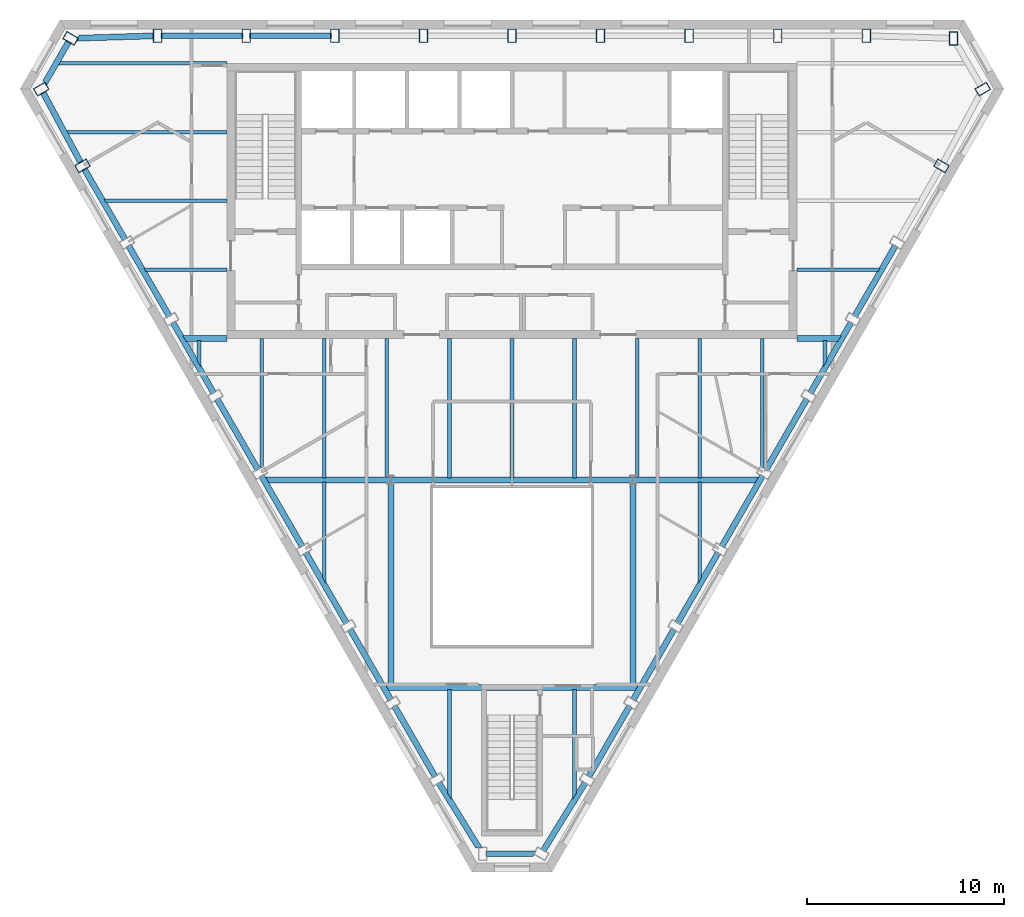
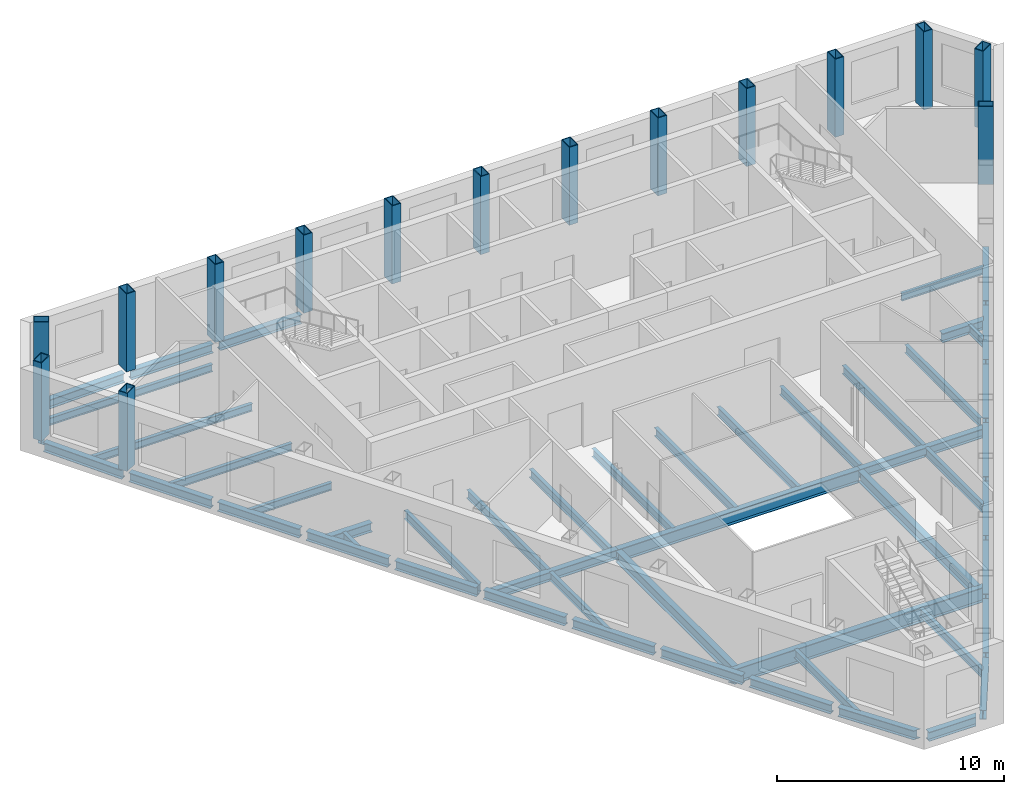
# One storey, part 2 of 10: 51 beams, 15 columns.
"""IFC4 building model written with IfcOpenShell, lengths in metres."""

from ifc_helpers import new_model, si_unit, direction, frame, origin, origin_2d, place, context, subcontext, project, spatial, hollow_rectangle, i_section, extrude, clip, halfspace, material, material_profile, profile_set, type_object, element, save


model = new_model("IFC4")

# Units and contexts
model_context = context("Model", 3, precision=1e-05, world=origin(), true_north=direction((0.0, 1.0)))
body_context = subcontext(model_context, "Body", "Model", "MODEL_VIEW")
ifc_project = project(units=[si_unit("LENGTHUNIT", "METRE"), si_unit("AREAUNIT", "SQUARE_METRE"), si_unit("VOLUMEUNIT", "CUBIC_METRE"), si_unit("PLANEANGLEUNIT", "RADIAN"), si_unit("MASSUNIT", "GRAM", prefix="KILO")], contexts=[model_context])

# Site, building, storey
site_placement = place(None, origin())
site = spatial("IfcSite", under=ifc_project, at=site_placement, CompositionType="ELEMENT")
building_placement = place(site_placement, origin())
building = spatial("IfcBuilding", under=site, at=building_placement, Name="Njiva Tower", CompositionType="ELEMENT")
storey_placement = place(building_placement, frame((0.0, 0.0, 333.6)))
storey = spatial("IfcBuildingStorey", under=building, at=storey_placement, Name="L76", CompositionType="ELEMENT", Elevation=333.6)

# Columns
ifc_material = material(Name="Steel S355 J2", Category="steel")
ifc_material_profile_1 = material_profile(ifc_material, hollow_rectangle(XDim=0.45, YDim=0.7, WallThickness=0.04, at=origin_2d()), Name="BOX 700x450x40")
ifc_profile_set_1 = profile_set([ifc_material_profile_1], Name="Steel S355 J2")
column_type = type_object("IfcColumnType", Name="C15 Perimeter tube column BOX 700x450x40", PredefinedType="COLUMN", material=ifc_profile_set_1)
for number, where, z_axis, x_axis, name in (
    (1, (22.456, 19.267, 0.0), (0.0, 0.0, 1.0), (-1.0, 0.0, 0.0), "Perimeter tube column S26-C01"),
    (2, (18.026, 19.4, 0.0), (0.0, 0.0, 1.0), (-1.0, 0.0, 0.0), "Perimeter tube column S26-C02"),
    (3, (13.52, 19.4, 0.0), (0.0, 0.0, 1.0), (-1.0, 0.0, 0.0), "Perimeter tube column S26-C03"),
    (4, (9.013, 19.4, 0.0), (0.0, 0.0, 1.0), (-1.0, 0.0, 0.0), "Perimeter tube column S26-C04"),
    (5, (4.507, 19.4, 0.0), (0.0, 0.0, 1.0), (-1.0, 0.0, 0.0), "Perimeter tube column S26-C05"),
    (6, (0.0, 19.4, 0.0), (0.0, 0.0, 1.0), (-1.0, 0.0, 0.0), "Perimeter tube column S26-C06"),
    (7, (-4.507, 19.4, 0.0), (0.0, 0.0, 1.0), (-1.0, 0.0, 0.0), "Perimeter tube column S26-C07"),
    (8, (-9.013, 19.4, 0.0), (0.0, 0.0, 1.0), (-1.0, 0.0, 0.0), "Perimeter tube column S26-C08"),
    (9, (-13.52, 19.4, 0.0), (0.0, 0.0, 1.0), (-1.0, 0.0, 0.0), "Perimeter tube column S26-C09"),
    (10, (-18.026, 19.4, 0.0), (0.0, 0.0, 1.0), (-1.0, 0.0, 0.0), "Perimeter tube column S26-C10"),
    (11, (-22.456, 19.267, 0.0), (0.0, 0.0, 1.0), (-0.5, -0.866025403784, 0.0), "Perimeter tube column S26-C11"),
    (12, (-23.948, 16.684, 0.0), (0.0, 0.0, 1.0), (0.5, -0.866025403784, 0.0), "Perimeter tube column S26-C12"),
    (13, (-21.848, 12.781, 0.0), (0.0, 0.0, 1.0), (0.5, -0.866025403784, 0.0), "Perimeter tube column S26-C13"),
    (14, (21.848, 12.781, 0.0), (0.0, 0.0, 1.0), (0.5, 0.866025403784, 0.0), "Perimeter tube column S26-C32"),
    (15, (23.948, 16.684, 0.0), (0.0, 0.0, 1.0), (-0.5, 0.866025403784, 0.0), "Perimeter tube column S26-C33"),
):
    element("IfcColumn", number, at=place(storey_placement, frame(where, z_axis=z_axis, x_axis=x_axis)), inside=storey, type_object=column_type, Name=name, PredefinedType="COLUMN", context=body_context, shape_type="SweptSolid", body=[
        extrude(hollow_rectangle(XDim=0.45, YDim=0.7, WallThickness=0.04, at=origin_2d()), origin(), (0.0, 0.0, 1.0), 4.2),
    ])

# Beams
ifc_material_profile_2 = material_profile(ifc_material, i_section(OverallWidth=0.3, OverallDepth=0.69, WebThickness=0.0145, FlangeThickness=0.027, at=origin_2d()), Name="HEA 700")
ifc_profile_set_2 = profile_set([ifc_material_profile_2], Name="Steel S355 J2")
beam_type_1 = type_object("IfcBeamType", Name="B18 Long-span atrium trimmer beam HEA 700", PredefinedType="BEAM", material=ifc_profile_set_2)
beam_1_placement = place(storey_placement, frame((6.16, -3.2, -0.545), z_axis=(-1.0, 0.0, 0.0), x_axis=(0.0, -1.0, 0.0)))
element("IfcBeam", 16, at=beam_1_placement, inside=storey, type_object=beam_type_1, Name="Long-span atrium trimmer beam S26-B057", PredefinedType="BEAM", context=body_context, shape_type="SweptSolid", body=[
    extrude(i_section(OverallWidth=0.3, OverallDepth=0.69, WebThickness=0.0145, FlangeThickness=0.027, at=origin_2d()), origin(), (0.0, 0.0, 1.0), 12.32),
])
ifc_material_profile_3 = material_profile(ifc_material, i_section(OverallWidth=0.3, OverallDepth=0.59, WebThickness=0.013, FlangeThickness=0.025, at=origin_2d()), Name="HEA 600")
ifc_profile_set_3 = profile_set([ifc_material_profile_3], Name="Steel S355 J2")
beam_type_2 = type_object("IfcBeamType", Name="B30 Long-span atrium trimmer beam HEA 600", PredefinedType="BEAM", material=ifc_profile_set_3)
for number, where, z_axis, x_axis, name in (
    (17, (6.16, -13.65, -0.495), (0.0, 1.0, 0.0), (-1.0, 0.0, 0.0), "Long-span atrium trimmer beam S26-B058"),
    (18, (-6.16, -3.375, -0.495), (0.0, -1.0, 0.0), (1.0, 0.0, 0.0), "Long-span atrium trimmer beam S26-B055"),
):
    element("IfcBeam", number, at=place(storey_placement, frame(where, z_axis=z_axis, x_axis=x_axis)), inside=storey, type_object=beam_type_2, Name=name, PredefinedType="BEAM", context=body_context, shape_type="SweptSolid", body=[
        extrude(i_section(OverallWidth=0.3, OverallDepth=0.59, WebThickness=0.013, FlangeThickness=0.025, at=origin_2d()), origin(), (0.0, 0.0, 1.0), 10.275),
    ])
ifc_material_profile_4 = material_profile(ifc_material, i_section(OverallWidth=0.3, OverallDepth=0.49, WebThickness=0.012, FlangeThickness=0.023, at=origin_2d()), Name="HEA 500")
ifc_profile_set_4 = profile_set([ifc_material_profile_4], Name="Steel S355 J2")
beam_type_3 = type_object("IfcBeamType", Name="B48 Short-span spandrel beam HEA 500", PredefinedType="SPANDREL", material=ifc_profile_set_4)
beam_2_placement = place(storey_placement, frame((-9.188, 19.4, -0.445), z_axis=(-1.0, 0.0, 0.0), x_axis=(0.0, -1.0, 0.0)))
element("IfcBeam", 19, at=beam_2_placement, inside=storey, type_object=beam_type_3, Name="Short-span spandrel beam S26-B074", PredefinedType="SPANDREL", context=body_context, shape_type="SweptSolid", body=[
    extrude(i_section(OverallWidth=0.3, OverallDepth=0.49, WebThickness=0.012, FlangeThickness=0.023, at=origin_2d()), origin(), (0.0, 0.0, 1.0), 4.157),
])
beam_3_placement = place(storey_placement, frame((-13.695, 19.4, -0.445), z_axis=(-1.0, 0.0, 0.0), x_axis=(0.0, -1.0, 0.0)))
element("IfcBeam", 20, at=beam_3_placement, inside=storey, type_object=beam_type_3, Name="Short-span spandrel beam S26-B069", PredefinedType="SPANDREL", context=body_context, shape_type="SweptSolid", body=[
    extrude(i_section(OverallWidth=0.3, OverallDepth=0.49, WebThickness=0.012, FlangeThickness=0.023, at=origin_2d()), origin(), (0.0, 0.0, 1.0), 4.156),
])
beam_4_placement = place(storey_placement, frame((-18.205, 19.395, -0.445), z_axis=(-0.999542354349, -0.030250320034, 0.0), x_axis=(0.030250320034, -0.999542354349, 0.0)))
element("IfcBeam", 21, at=beam_4_placement, inside=storey, type_object=beam_type_3, Name="Short-span spandrel beam S26-B064", PredefinedType="SPANDREL", context=body_context, shape_type="Clipping", body=[
    clip(extrude(i_section(OverallWidth=0.3, OverallDepth=0.49, WebThickness=0.012, FlangeThickness=0.023, at=origin_2d()), origin(), (0.0, 0.0, 1.0), 4.0138), halfspace(frame((-0.0268, 0.0, 3.8841), z_axis=(-0.525966768254, 0.0, 0.850505119734), x_axis=(0.0, 1.0, 0.0)), False)),
])
beam_5_placement = place(storey_placement, frame((-22.544, 19.116, -0.445), z_axis=(-0.500027182209, -0.86600970956, 0.0), x_axis=(0.86600970956, -0.500027182209, 0.0)))
element("IfcBeam", 22, at=beam_5_placement, inside=storey, type_object=beam_type_3, Name="Short-span spandrel beam S26-B063", PredefinedType="SPANDREL", context=body_context, shape_type="Clipping", body=[
    clip(extrude(i_section(OverallWidth=0.3, OverallDepth=0.49, WebThickness=0.012, FlangeThickness=0.023, at=origin_2d()), origin(), (0.0, 0.0, 1.0), 2.5689), halfspace(frame((-0.0244, 0.0, 2.4476), z_axis=(-0.499974807545, 0.0, 0.866039948166), x_axis=(0.0, 1.0, 0.0)), False)),
])
beam_6_placement = place(storey_placement, frame((-23.863, 16.527, -0.445), z_axis=(0.473719218081, -0.880675934962, 0.0), x_axis=(0.880675934962, 0.473719218081, 0.0)))
element("IfcBeam", 23, at=beam_6_placement, inside=storey, type_object=beam_type_3, Name="Short-span spandrel beam S26-B061", PredefinedType="SPANDREL", context=body_context, shape_type="SweptSolid", body=[
    extrude(i_section(OverallWidth=0.3, OverallDepth=0.49, WebThickness=0.012, FlangeThickness=0.023, at=origin_2d()), origin(), (0.0, 0.0, 1.0), 4.0741),
])
beam_7_placement = place(storey_placement, frame((-21.76, 12.63, -0.445), z_axis=(0.499916824138, -0.866073420066, 0.0), x_axis=(0.866073420066, 0.499916824138, 0.0)))
element("IfcBeam", 24, at=beam_7_placement, inside=storey, type_object=beam_type_3, Name="Short-span spandrel beam S26-B065", PredefinedType="SPANDREL", context=body_context, shape_type="SweptSolid", body=[
    extrude(i_section(OverallWidth=0.3, OverallDepth=0.49, WebThickness=0.012, FlangeThickness=0.023, at=origin_2d()), origin(), (0.0, 0.0, 1.0), 4.1567),
])
beam_8_placement = place(storey_placement, frame((-19.507, 8.727, -0.445), z_axis=(0.499812681335, -0.866133525259, 0.0), x_axis=(0.866133525259, 0.499812681335, 0.0)))
element("IfcBeam", 25, at=beam_8_placement, inside=storey, type_object=beam_type_3, Name="Short-span spandrel beam S26-B067", PredefinedType="SPANDREL", context=body_context, shape_type="SweptSolid", body=[
    extrude(i_section(OverallWidth=0.3, OverallDepth=0.49, WebThickness=0.012, FlangeThickness=0.023, at=origin_2d()), origin(), (0.0, 0.0, 1.0), 4.1576),
])
beam_9_placement = place(storey_placement, frame((-17.254, 4.823, -0.445), z_axis=(0.500021003115, -0.866013277291, 0.0), x_axis=(0.866013277291, 0.500021003115, 0.0)))
element("IfcBeam", 26, at=beam_9_placement, inside=storey, type_object=beam_type_3, Name="Short-span spandrel beam S26-B070", PredefinedType="SPANDREL", context=body_context, shape_type="SweptSolid", body=[
    extrude(i_section(OverallWidth=0.3, OverallDepth=0.49, WebThickness=0.012, FlangeThickness=0.023, at=origin_2d()), origin(), (0.0, 0.0, 1.0), 4.1558),
])
beam_10_placement = place(storey_placement, frame((-15.001, 0.921, -0.445), z_axis=(0.500201435056, -0.865909073961, 0.0), x_axis=(0.865909073961, 0.500201435056, 0.0)))
element("IfcBeam", 27, at=beam_10_placement, inside=storey, type_object=beam_type_3, Name="Short-span spandrel beam S26-B072", PredefinedType="SPANDREL", context=body_context, shape_type="SweptSolid", body=[
    extrude(i_section(OverallWidth=0.3, OverallDepth=0.49, WebThickness=0.012, FlangeThickness=0.023, at=origin_2d()), origin(), (0.0, 0.0, 1.0), 4.1563),
])
beam_11_placement = place(storey_placement, frame((-12.747, -2.981, -0.445), z_axis=(0.499812681335, -0.866133525259, 0.0), x_axis=(0.866133525259, 0.499812681335, 0.0)))
element("IfcBeam", 28, at=beam_11_placement, inside=storey, type_object=beam_type_3, Name="Short-span spandrel beam S26-B075", PredefinedType="SPANDREL", context=body_context, shape_type="SweptSolid", body=[
    extrude(i_section(OverallWidth=0.3, OverallDepth=0.49, WebThickness=0.012, FlangeThickness=0.023, at=origin_2d()), origin(), (0.0, 0.0, 1.0), 4.1576),
])
beam_12_placement = place(storey_placement, frame((-10.494, -6.885, -0.445), z_axis=(0.500021003115, -0.866013277291, 0.0), x_axis=(0.866013277291, 0.500021003115, 0.0)))
element("IfcBeam", 29, at=beam_12_placement, inside=storey, type_object=beam_type_3, Name="Short-span spandrel beam S26-B077", PredefinedType="SPANDREL", context=body_context, shape_type="SweptSolid", body=[
    extrude(i_section(OverallWidth=0.3, OverallDepth=0.49, WebThickness=0.012, FlangeThickness=0.023, at=origin_2d()), origin(), (0.0, 0.0, 1.0), 4.1558),
])
beam_13_placement = place(storey_placement, frame((-8.241, -10.788, -0.445), z_axis=(0.500201435056, -0.865909073961, 0.0), x_axis=(0.865909073961, 0.500201435056, 0.0)))
element("IfcBeam", 30, at=beam_13_placement, inside=storey, type_object=beam_type_3, Name="Short-span spandrel beam S26-B080", PredefinedType="SPANDREL", context=body_context, shape_type="SweptSolid", body=[
    extrude(i_section(OverallWidth=0.3, OverallDepth=0.49, WebThickness=0.012, FlangeThickness=0.023, at=origin_2d()), origin(), (0.0, 0.0, 1.0), 4.1563),
])
beam_14_placement = place(storey_placement, frame((-5.987, -14.69, -0.445), z_axis=(0.499812681335, -0.866133525259, 0.0), x_axis=(0.866133525259, 0.499812681335, 0.0)))
element("IfcBeam", 31, at=beam_14_placement, inside=storey, type_object=beam_type_3, Name="Short-span spandrel beam S26-B082", PredefinedType="SPANDREL", context=body_context, shape_type="SweptSolid", body=[
    extrude(i_section(OverallWidth=0.3, OverallDepth=0.49, WebThickness=0.012, FlangeThickness=0.023, at=origin_2d()), origin(), (0.0, 0.0, 1.0), 4.1576),
])
beam_15_placement = place(storey_placement, frame((-3.727, -18.594, -0.445), z_axis=(0.525727634392, -0.850652957696, 0.0), x_axis=(0.850652957696, 0.525727634392, 0.0)))
element("IfcBeam", 32, at=beam_15_placement, inside=storey, type_object=beam_type_3, Name="Short-span spandrel beam S26-B085", PredefinedType="SPANDREL", context=body_context, shape_type="Clipping", body=[
    clip(extrude(i_section(OverallWidth=0.3, OverallDepth=0.49, WebThickness=0.012, FlangeThickness=0.023, at=origin_2d()), origin(), (0.0, 0.0, 1.0), 4.0124), halfspace(frame((-0.0263, 0.0, 3.8831), z_axis=(-0.525727634392, 0.0, 0.850652957696), x_axis=(0.0, 1.0, 0.0)), False)),
])
beam_16_placement = place(storey_placement, frame((-1.316, -22.211, -0.445), z_axis=(1.0, 0.0, 0.0), x_axis=(0.0, 1.0, 0.0)))
element("IfcBeam", 33, at=beam_16_placement, inside=storey, type_object=beam_type_3, Name="Short-span spandrel beam S26-B088", PredefinedType="SPANDREL", context=body_context, shape_type="Clipping", body=[
    clip(extrude(i_section(OverallWidth=0.3, OverallDepth=0.49, WebThickness=0.012, FlangeThickness=0.023, at=origin_2d()), origin(), (0.0, 0.0, 1.0), 2.567), halfspace(frame((-0.0255, 0.0, 2.4459), z_axis=(-0.499998009787, 0.0, 0.866026552831), x_axis=(0.0, 1.0, 0.0)), False)),
])
beam_17_placement = place(storey_placement, frame((1.585, -22.059, -0.445), z_axis=(0.525822097538, 0.850594569546, 0.0), x_axis=(-0.850594569546, 0.525822097538, 0.0)))
element("IfcBeam", 34, at=beam_17_placement, inside=storey, type_object=beam_type_3, Name="Short-span spandrel beam S26-B091", PredefinedType="SPANDREL", context=body_context, shape_type="SweptSolid", body=[
    extrude(i_section(OverallWidth=0.3, OverallDepth=0.49, WebThickness=0.012, FlangeThickness=0.023, at=origin_2d()), origin(), (0.0, 0.0, 1.0), 4.0736),
])
beam_18_placement = place(storey_placement, frame((3.909, -18.291, -0.445), z_axis=(0.499812681335, 0.866133525259, 0.0), x_axis=(-0.866133525259, 0.499812681335, 0.0)))
element("IfcBeam", 35, at=beam_18_placement, inside=storey, type_object=beam_type_3, Name="Short-span spandrel beam S26-B093", PredefinedType="SPANDREL", context=body_context, shape_type="SweptSolid", body=[
    extrude(i_section(OverallWidth=0.3, OverallDepth=0.49, WebThickness=0.012, FlangeThickness=0.023, at=origin_2d()), origin(), (0.0, 0.0, 1.0), 4.1576),
])
beam_19_placement = place(storey_placement, frame((6.162, -14.387, -0.445), z_axis=(0.500201435056, 0.865909073961, 0.0), x_axis=(-0.865909073961, 0.500201435056, 0.0)))
element("IfcBeam", 36, at=beam_19_placement, inside=storey, type_object=beam_type_3, Name="Short-span spandrel beam S26-B096", PredefinedType="SPANDREL", context=body_context, shape_type="SweptSolid", body=[
    extrude(i_section(OverallWidth=0.3, OverallDepth=0.49, WebThickness=0.012, FlangeThickness=0.023, at=origin_2d()), origin(), (0.0, 0.0, 1.0), 4.1563),
])
beam_20_placement = place(storey_placement, frame((8.416, -10.484, -0.445), z_axis=(0.500021003115, 0.866013277291, 0.0), x_axis=(-0.866013277291, 0.500021003115, 0.0)))
element("IfcBeam", 37, at=beam_20_placement, inside=storey, type_object=beam_type_3, Name="Short-span spandrel beam S26-B098", PredefinedType="SPANDREL", context=body_context, shape_type="SweptSolid", body=[
    extrude(i_section(OverallWidth=0.3, OverallDepth=0.49, WebThickness=0.012, FlangeThickness=0.023, at=origin_2d()), origin(), (0.0, 0.0, 1.0), 4.1558),
])
beam_21_placement = place(storey_placement, frame((10.669, -6.582, -0.445), z_axis=(0.499812681335, 0.866133525259, 0.0), x_axis=(-0.866133525259, 0.499812681335, 0.0)))
element("IfcBeam", 38, at=beam_21_placement, inside=storey, type_object=beam_type_3, Name="Short-span spandrel beam S26-B101", PredefinedType="SPANDREL", context=body_context, shape_type="SweptSolid", body=[
    extrude(i_section(OverallWidth=0.3, OverallDepth=0.49, WebThickness=0.012, FlangeThickness=0.023, at=origin_2d()), origin(), (0.0, 0.0, 1.0), 4.1576),
])
beam_22_placement = place(storey_placement, frame((12.922, -2.678, -0.445), z_axis=(0.500201435056, 0.865909073961, 0.0), x_axis=(-0.865909073961, 0.500201435056, 0.0)))
element("IfcBeam", 39, at=beam_22_placement, inside=storey, type_object=beam_type_3, Name="Short-span spandrel beam S26-B103", PredefinedType="SPANDREL", context=body_context, shape_type="SweptSolid", body=[
    extrude(i_section(OverallWidth=0.3, OverallDepth=0.49, WebThickness=0.012, FlangeThickness=0.023, at=origin_2d()), origin(), (0.0, 0.0, 1.0), 4.1563),
])
beam_23_placement = place(storey_placement, frame((15.176, 1.224, -0.445), z_axis=(0.500021003115, 0.866013277291, 0.0), x_axis=(-0.866013277291, 0.500021003115, 0.0)))
element("IfcBeam", 40, at=beam_23_placement, inside=storey, type_object=beam_type_3, Name="Short-span spandrel beam S26-B106", PredefinedType="SPANDREL", context=body_context, shape_type="SweptSolid", body=[
    extrude(i_section(OverallWidth=0.3, OverallDepth=0.49, WebThickness=0.012, FlangeThickness=0.023, at=origin_2d()), origin(), (0.0, 0.0, 1.0), 4.1558),
])
beam_24_placement = place(storey_placement, frame((17.429, 5.126, -0.445), z_axis=(0.499812681335, 0.866133525259, 0.0), x_axis=(-0.866133525259, 0.499812681335, 0.0)))
element("IfcBeam", 41, at=beam_24_placement, inside=storey, type_object=beam_type_3, Name="Short-span spandrel beam S26-B108", PredefinedType="SPANDREL", context=body_context, shape_type="SweptSolid", body=[
    extrude(i_section(OverallWidth=0.3, OverallDepth=0.49, WebThickness=0.012, FlangeThickness=0.023, at=origin_2d()), origin(), (0.0, 0.0, 1.0), 4.1576),
])
ifc_material_profile_5 = material_profile(ifc_material, i_section(OverallWidth=0.3, OverallDepth=0.49, WebThickness=0.012, FlangeThickness=0.023, at=origin_2d()), Name="HEA 500")
ifc_profile_set_5 = profile_set([ifc_material_profile_5], Name="Steel S355 J2")
beam_type_4 = type_object("IfcBeamType", Name="B49 Floor girder HEA 500", PredefinedType="BEAM", material=ifc_profile_set_5)
beam_25_placement = place(storey_placement, frame((-12.613, -3.2, -0.445), z_axis=(1.0, 0.0, 0.0), x_axis=(0.0, 1.0, 0.0)))
element("IfcBeam", 42, at=beam_25_placement, inside=storey, type_object=beam_type_4, Name="Floor girder S26-B010", PredefinedType="BEAM", context=body_context, shape_type="Clipping", body=[
    clip(extrude(i_section(OverallWidth=0.3, OverallDepth=0.49, WebThickness=0.012, FlangeThickness=0.023, at=origin_2d()), origin(), (0.0, 0.0, 1.0), 6.453), halfspace(frame((-0.025, 0.0, 0.1217), z_axis=(-0.499998009787, 0.0, -0.866026552831), x_axis=(0.0, -1.0, 0.0)), False)),
])
beam_26_placement = place(storey_placement, frame((6.16, -3.2, -0.445), z_axis=(1.0, 0.0, 0.0), x_axis=(0.0, 1.0, 0.0)))
element("IfcBeam", 43, at=beam_26_placement, inside=storey, type_object=beam_type_4, Name="Floor girder S26-B011", PredefinedType="BEAM", context=body_context, shape_type="Clipping", body=[
    clip(extrude(i_section(OverallWidth=0.3, OverallDepth=0.49, WebThickness=0.012, FlangeThickness=0.023, at=origin_2d()), origin(), (0.0, 0.0, 1.0), 6.453), halfspace(frame((-0.025, 0.0, 6.3313), z_axis=(-0.499998009787, 0.0, 0.866026552831), x_axis=(0.0, 1.0, 0.0)), False)),
])
ifc_material_profile_6 = material_profile(ifc_material, i_section(OverallWidth=0.3, OverallDepth=0.49, WebThickness=0.012, FlangeThickness=0.023, at=origin_2d()), Name="HEA 500")
ifc_profile_set_6 = profile_set([ifc_material_profile_6], Name="Steel S355 J2")
beam_type_5 = type_object("IfcBeamType", Name="B50 Short-span floor girder HEA 500", PredefinedType="BEAM", material=ifc_profile_set_6)
beam_27_placement = place(storey_placement, frame((-16.77, 4.0, -0.445), z_axis=(1.0, 0.0, 0.0), x_axis=(0.0, 1.0, 0.0)))
element("IfcBeam", 44, at=beam_27_placement, inside=storey, type_object=beam_type_5, Name="Short-span floor girder S26-B009", PredefinedType="BEAM", context=body_context, shape_type="Clipping", body=[
    clip(extrude(i_section(OverallWidth=0.3, OverallDepth=0.49, WebThickness=0.012, FlangeThickness=0.023, at=origin_2d()), origin(), (0.0, 0.0, 1.0), 2.27), halfspace(frame((-0.025, 0.0, 0.1217), z_axis=(-0.499998009787, 0.0, -0.866026552831), x_axis=(0.0, -1.0, 0.0)), False)),
])
beam_28_placement = place(storey_placement, frame((14.5, 4.0, -0.445), z_axis=(1.0, 0.0, 0.0), x_axis=(0.0, 1.0, 0.0)))
element("IfcBeam", 45, at=beam_28_placement, inside=storey, type_object=beam_type_5, Name="Short-span floor girder S26-B012", PredefinedType="BEAM", context=body_context, shape_type="Clipping", body=[
    clip(extrude(i_section(OverallWidth=0.3, OverallDepth=0.49, WebThickness=0.012, FlangeThickness=0.023, at=origin_2d()), origin(), (0.0, 0.0, 1.0), 2.27), halfspace(frame((-0.025, 0.0, 2.1483), z_axis=(-0.499998009787, 0.0, 0.866026552831), x_axis=(0.0, 1.0, 0.0)), False)),
])
ifc_material_profile_7 = material_profile(ifc_material, i_section(OverallWidth=0.18, OverallDepth=0.4, WebThickness=0.0086, FlangeThickness=0.0135, at=origin_2d()), Name="IPE 400")
ifc_profile_set_7 = profile_set([ifc_material_profile_7], Name="Steel S355 J2")
beam_type_6 = type_object("IfcBeamType", Name="B51 Floor beam to the core IPE 400", PredefinedType="BEAM", material=ifc_profile_set_7)
beam_29_placement = place(storey_placement, frame((-20.776, 11.0, -0.4), z_axis=(1.0, 0.0, 0.0), x_axis=(0.0, 1.0, 0.0)))
element("IfcBeam", 46, at=beam_29_placement, inside=storey, type_object=beam_type_6, Name="Floor beam to the core S26-B003", PredefinedType="BEAM", context=body_context, shape_type="Clipping", body=[
    clip(extrude(i_section(OverallWidth=0.18, OverallDepth=0.4, WebThickness=0.0086, FlangeThickness=0.0135, at=origin_2d()), origin(), (0.0, 0.0, 1.0), 6.276), halfspace(frame((-0.025, 0.0, 0.0863), z_axis=(-0.499998009787, 0.0, -0.866026552831), x_axis=(0.0, -1.0, 0.0)), False)),
])
beam_30_placement = place(storey_placement, frame((-22.727, 14.5, -0.4), z_axis=(1.0, 0.0, 0.0), x_axis=(0.0, 1.0, 0.0)))
element("IfcBeam", 47, at=beam_30_placement, inside=storey, type_object=beam_type_6, Name="Floor beam to the core S26-B002", PredefinedType="BEAM", context=body_context, shape_type="Clipping", body=[
    clip(extrude(i_section(OverallWidth=0.18, OverallDepth=0.4, WebThickness=0.0086, FlangeThickness=0.0135, at=origin_2d()), origin(), (0.0, 0.0, 1.0), 8.227), halfspace(frame((-0.0237, 0.0, 0.0806), z_axis=(-0.47376166762, 0.0, -0.88065309986), x_axis=(0.0, -1.0, 0.0)), False)),
])
beam_31_placement = place(storey_placement, frame((-23.144, 18.0, -0.4), z_axis=(1.0, 0.0, 0.0), x_axis=(0.0, 1.0, 0.0)))
element("IfcBeam", 48, at=beam_31_placement, inside=storey, type_object=beam_type_6, Name="Floor beam to the core S26-B001", PredefinedType="BEAM", context=body_context, shape_type="Clipping", body=[
    clip(extrude(i_section(OverallWidth=0.18, OverallDepth=0.4, WebThickness=0.0086, FlangeThickness=0.0135, at=origin_2d()), origin(), (0.0, 0.0, 1.0), 8.644), halfspace(frame((0.025, 0.0, 0.0862), z_axis=(0.499998009787, 0.0, -0.866026552831), x_axis=(0.0, -1.0, 0.0)), False)),
])
ifc_material_profile_8 = material_profile(ifc_material, i_section(OverallWidth=0.19, OverallDepth=0.45, WebThickness=0.0094, FlangeThickness=0.0146, at=origin_2d()), Name="IPE 450")
ifc_profile_set_8 = profile_set([ifc_material_profile_8], Name="Steel S355 J2")
beam_type_7 = type_object("IfcBeamType", Name="B52 Short-span floor joist IPE 450", PredefinedType="JOIST", material=ifc_profile_set_8)
beam_32_placement = place(storey_placement, frame((-15.917, 3.9, -0.425), z_axis=(0.0, -1.0, 0.0), x_axis=(1.0, 0.0, 0.0)))
element("IfcBeam", 49, at=beam_32_placement, inside=storey, type_object=beam_type_7, Name="Short-span floor joist S26-B037", PredefinedType="JOIST", context=body_context, shape_type="Clipping", body=[
    clip(extrude(i_section(OverallWidth=0.19, OverallDepth=0.45, WebThickness=0.0094, FlangeThickness=0.0146, at=origin_2d()), origin(), (0.0, 0.0, 1.0), 1.377), halfspace(frame((-0.043, 0.0, 1.1172), z_axis=(-0.866026552831, 0.0, 0.499998009787), x_axis=(0.0, 1.0, 0.0)), False)),
])
beam_33_placement = place(storey_placement, frame((15.917, 3.9, -0.425), z_axis=(0.0, -1.0, 0.0), x_axis=(1.0, 0.0, 0.0)))
element("IfcBeam", 50, at=beam_33_placement, inside=storey, type_object=beam_type_7, Name="Short-span floor joist S26-B053", PredefinedType="JOIST", context=body_context, shape_type="Clipping", body=[
    clip(extrude(i_section(OverallWidth=0.19, OverallDepth=0.45, WebThickness=0.0094, FlangeThickness=0.0146, at=origin_2d()), origin(), (0.0, 0.0, 1.0), 1.377), halfspace(frame((0.043, 0.0, 1.1172), z_axis=(0.866026552831, 0.0, 0.499998009787), x_axis=(0.0, 1.0, 0.0)), False)),
])
ifc_material_profile_9 = material_profile(ifc_material, i_section(OverallWidth=0.19, OverallDepth=0.45, WebThickness=0.0094, FlangeThickness=0.0146, at=origin_2d()), Name="IPE 450")
ifc_profile_set_9 = profile_set([ifc_material_profile_9], Name="Steel S355 J2")
beam_type_8 = type_object("IfcBeamType", Name="B53 Floor joist IPE 450", PredefinedType="JOIST", material=ifc_profile_set_9)
beam_34_placement = place(storey_placement, frame((-12.733, 3.995, -0.425), z_axis=(0.0, -1.0, 0.0), x_axis=(1.0, 0.0, 0.0)))
element("IfcBeam", 51, at=beam_34_placement, inside=storey, type_object=beam_type_8, Name="Floor joist S26-B039", PredefinedType="JOIST", context=body_context, shape_type="Clipping", body=[
    clip(extrude(i_section(OverallWidth=0.19, OverallDepth=0.45, WebThickness=0.0094, FlangeThickness=0.0146, at=origin_2d()), origin(), (0.0, 0.0, 1.0), 6.639), halfspace(frame((0.0247, 0.0, 6.5498), z_axis=(0.499998009787, 0.0, 0.866026552831), x_axis=(0.0, 1.0, 0.0)), False)),
])
beam_35_placement = place(storey_placement, frame((-9.55, 3.995, -0.425), z_axis=(0.0, -1.0, 0.0), x_axis=(1.0, 0.0, 0.0)))
element("IfcBeam", 52, at=beam_35_placement, inside=storey, type_object=beam_type_8, Name="Floor joist S26-B041", PredefinedType="JOIST", context=body_context, shape_type="SweptSolid", body=[
    extrude(i_section(OverallWidth=0.19, OverallDepth=0.45, WebThickness=0.0094, FlangeThickness=0.0146, at=origin_2d()), origin(), (0.0, 0.0, 1.0), 7.095),
])
beam_36_placement = place(storey_placement, frame((-9.55, -3.3, -0.425), z_axis=(0.0, -1.0, 0.0), x_axis=(1.0, 0.0, 0.0)))
element("IfcBeam", 53, at=beam_36_placement, inside=storey, type_object=beam_type_8, Name="Floor joist S26-B040", PredefinedType="JOIST", context=body_context, shape_type="Clipping", body=[
    clip(extrude(i_section(OverallWidth=0.19, OverallDepth=0.45, WebThickness=0.0094, FlangeThickness=0.0146, at=origin_2d()), origin(), (0.0, 0.0, 1.0), 5.205), halfspace(frame((-0.0433, 0.0, 4.9445), z_axis=(-0.866026552831, 0.0, 0.499998009787), x_axis=(0.0, 1.0, 0.0)), False)),
])
beam_37_placement = place(storey_placement, frame((-6.367, 3.995, -0.425), z_axis=(0.0, -1.0, 0.0), x_axis=(1.0, 0.0, 0.0)))
element("IfcBeam", 54, at=beam_37_placement, inside=storey, type_object=beam_type_8, Name="Floor joist S26-B042", PredefinedType="JOIST", context=body_context, shape_type="SweptSolid", body=[
    extrude(i_section(OverallWidth=0.19, OverallDepth=0.45, WebThickness=0.0094, FlangeThickness=0.0146, at=origin_2d()), origin(), (0.0, 0.0, 1.0), 7.02),
])
beam_38_placement = place(storey_placement, frame((-3.183, 3.995, -0.425), z_axis=(0.0, -1.0, 0.0), x_axis=(1.0, 0.0, 0.0)))
element("IfcBeam", 55, at=beam_38_placement, inside=storey, type_object=beam_type_8, Name="Floor joist S26-B044", PredefinedType="JOIST", context=body_context, shape_type="SweptSolid", body=[
    extrude(i_section(OverallWidth=0.19, OverallDepth=0.45, WebThickness=0.0094, FlangeThickness=0.0146, at=origin_2d()), origin(), (0.0, 0.0, 1.0), 7.095),
])
beam_39_placement = place(storey_placement, frame((-3.183, -13.85, -0.425), z_axis=(0.0, -1.0, 0.0), x_axis=(1.0, 0.0, 0.0)))
element("IfcBeam", 56, at=beam_39_placement, inside=storey, type_object=beam_type_8, Name="Floor joist S26-B043", PredefinedType="JOIST", context=body_context, shape_type="Clipping", body=[
    clip(extrude(i_section(OverallWidth=0.19, OverallDepth=0.45, WebThickness=0.0094, FlangeThickness=0.0146, at=origin_2d()), origin(), (0.0, 0.0, 1.0), 5.608), halfspace(frame((-0.0429, 0.0, 5.365), z_axis=(-0.850615955969, 0.0, 0.525787500281), x_axis=(0.0, 1.0, 0.0)), False)),
])
for number, where, z_axis, x_axis, name in (
    (57, (0.0, 3.995, -0.425), (0.0, -1.0, 0.0), (1.0, 0.0, 0.0), "Floor joist S26-B045"),
    (58, (3.183, 3.995, -0.425), (0.0, -1.0, 0.0), (1.0, 0.0, 0.0), "Floor joist S26-B047"),
):
    element("IfcBeam", number, at=place(storey_placement, frame(where, z_axis=z_axis, x_axis=x_axis)), inside=storey, type_object=beam_type_8, Name=name, PredefinedType="JOIST", context=body_context, shape_type="SweptSolid", body=[
        extrude(i_section(OverallWidth=0.19, OverallDepth=0.45, WebThickness=0.0094, FlangeThickness=0.0146, at=origin_2d()), origin(), (0.0, 0.0, 1.0), 7.095),
    ])
beam_40_placement = place(storey_placement, frame((3.183, -13.85, -0.425), z_axis=(0.0, -1.0, 0.0), x_axis=(1.0, 0.0, 0.0)))
element("IfcBeam", 59, at=beam_40_placement, inside=storey, type_object=beam_type_8, Name="Floor joist S26-B046", PredefinedType="JOIST", context=body_context, shape_type="Clipping", body=[
    clip(extrude(i_section(OverallWidth=0.19, OverallDepth=0.45, WebThickness=0.0094, FlangeThickness=0.0146, at=origin_2d()), origin(), (0.0, 0.0, 1.0), 5.608), halfspace(frame((0.0429, 0.0, 5.365), z_axis=(0.850615955969, 0.0, 0.525787500281), x_axis=(0.0, 1.0, 0.0)), False)),
])
beam_41_placement = place(storey_placement, frame((6.367, 3.995, -0.425), z_axis=(0.0, -1.0, 0.0), x_axis=(1.0, 0.0, 0.0)))
element("IfcBeam", 60, at=beam_41_placement, inside=storey, type_object=beam_type_8, Name="Floor joist S26-B048", PredefinedType="JOIST", context=body_context, shape_type="SweptSolid", body=[
    extrude(i_section(OverallWidth=0.19, OverallDepth=0.45, WebThickness=0.0094, FlangeThickness=0.0146, at=origin_2d()), origin(), (0.0, 0.0, 1.0), 7.02),
])
beam_42_placement = place(storey_placement, frame((9.55, 3.995, -0.425), z_axis=(0.0, -1.0, 0.0), x_axis=(1.0, 0.0, 0.0)))
element("IfcBeam", 61, at=beam_42_placement, inside=storey, type_object=beam_type_8, Name="Floor joist S26-B050", PredefinedType="JOIST", context=body_context, shape_type="SweptSolid", body=[
    extrude(i_section(OverallWidth=0.19, OverallDepth=0.45, WebThickness=0.0094, FlangeThickness=0.0146, at=origin_2d()), origin(), (0.0, 0.0, 1.0), 7.095),
])
beam_43_placement = place(storey_placement, frame((9.55, -3.3, -0.425), z_axis=(0.0, -1.0, 0.0), x_axis=(1.0, 0.0, 0.0)))
element("IfcBeam", 62, at=beam_43_placement, inside=storey, type_object=beam_type_8, Name="Floor joist S26-B049", PredefinedType="JOIST", context=body_context, shape_type="Clipping", body=[
    clip(extrude(i_section(OverallWidth=0.19, OverallDepth=0.45, WebThickness=0.0094, FlangeThickness=0.0146, at=origin_2d()), origin(), (0.0, 0.0, 1.0), 5.205), halfspace(frame((0.0433, 0.0, 4.9445), z_axis=(0.866026552831, 0.0, 0.499998009787), x_axis=(0.0, 1.0, 0.0)), False)),
])
beam_44_placement = place(storey_placement, frame((12.733, 3.995, -0.425), z_axis=(0.0, -1.0, 0.0), x_axis=(1.0, 0.0, 0.0)))
element("IfcBeam", 63, at=beam_44_placement, inside=storey, type_object=beam_type_8, Name="Floor joist S26-B052", PredefinedType="JOIST", context=body_context, shape_type="Clipping", body=[
    clip(extrude(i_section(OverallWidth=0.19, OverallDepth=0.45, WebThickness=0.0094, FlangeThickness=0.0146, at=origin_2d()), origin(), (0.0, 0.0, 1.0), 6.639), halfspace(frame((-0.0247, 0.0, 6.5498), z_axis=(-0.499998009787, 0.0, 0.866026552831), x_axis=(0.0, 1.0, 0.0)), False)),
])
ifc_material_profile_10 = material_profile(ifc_material, i_section(OverallWidth=0.18, OverallDepth=0.4, WebThickness=0.0086, FlangeThickness=0.0135, at=origin_2d()), Name="IPE 400")
ifc_profile_set_10 = profile_set([ifc_material_profile_10], Name="Steel S355 J2")
beam_type_9 = type_object("IfcBeamType", Name="B56 Short-span floor beam to the core IPE 400", PredefinedType="BEAM", material=ifc_profile_set_10)
beam_45_placement = place(storey_placement, frame((-18.755, 7.5, -0.4), z_axis=(1.0, 0.0, 0.0), x_axis=(0.0, 1.0, 0.0)))
element("IfcBeam", 64, at=beam_45_placement, inside=storey, type_object=beam_type_9, Name="Short-span floor beam to the core S26-B004", PredefinedType="BEAM", context=body_context, shape_type="Clipping", body=[
    clip(extrude(i_section(OverallWidth=0.18, OverallDepth=0.4, WebThickness=0.0086, FlangeThickness=0.0135, at=origin_2d()), origin(), (0.0, 0.0, 1.0), 4.255), halfspace(frame((-0.025, 0.0, 0.086), z_axis=(-0.499998009787, 0.0, -0.866026552831), x_axis=(0.0, -1.0, 0.0)), False)),
])
beam_46_placement = place(storey_placement, frame((14.5, 7.5, -0.4), z_axis=(1.0, 0.0, 0.0), x_axis=(0.0, 1.0, 0.0)))
element("IfcBeam", 65, at=beam_46_placement, inside=storey, type_object=beam_type_9, Name="Short-span floor beam to the core S26-B005", PredefinedType="BEAM", context=body_context, shape_type="Clipping", body=[
    clip(extrude(i_section(OverallWidth=0.18, OverallDepth=0.4, WebThickness=0.0086, FlangeThickness=0.0135, at=origin_2d()), origin(), (0.0, 0.0, 1.0), 4.255), halfspace(frame((-0.025, 0.0, 4.169), z_axis=(-0.499998009787, 0.0, 0.866026552831), x_axis=(0.0, 1.0, 0.0)), False)),
])
ifc_material_profile_11 = material_profile(ifc_material, i_section(OverallWidth=0.3, OverallDepth=0.79, WebThickness=0.015, FlangeThickness=0.028, at=origin_2d()), Name="HEA 800")
ifc_profile_set_11 = profile_set([ifc_material_profile_11], Name="Steel S355 J2")
beam_type_10 = type_object("IfcBeamType", Name="B9 Long-span atrium trimmer beam HEA 800", PredefinedType="BEAM", material=ifc_profile_set_11)
beam_47_placement = place(storey_placement, frame((-6.522, -13.75, -0.595), z_axis=(1.0, 0.0, 0.0), x_axis=(0.0, 1.0, 0.0)))
element("IfcBeam", 66, at=beam_47_placement, inside=storey, type_object=beam_type_10, Name="Long-span atrium trimmer beam S26-B054", PredefinedType="BEAM", context=body_context, shape_type="Clipping", body=[
    clip(clip(extrude(i_section(OverallWidth=0.3, OverallDepth=0.79, WebThickness=0.015, FlangeThickness=0.028, at=origin_2d()), origin(), (0.0, 0.0, 1.0), 13.044), halfspace(frame((-0.025, 0.0, 0.1217), z_axis=(-0.499998009787, 0.0, -0.866026552831), x_axis=(0.0, -1.0, 0.0)), False)), halfspace(frame((-0.025, 0.0, 12.9223), z_axis=(-0.499998009787, 0.0, 0.866026552831), x_axis=(0.0, 1.0, 0.0)), False)),
])

save(model, "model.ifc")
